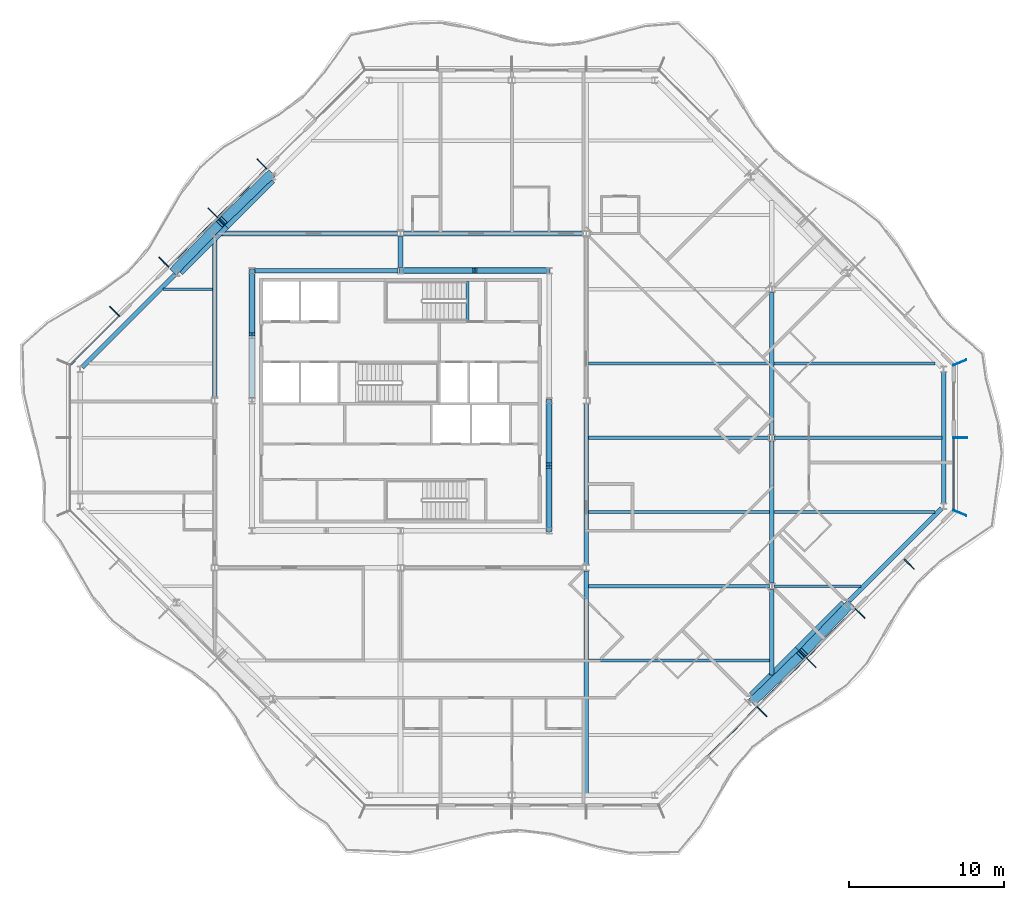
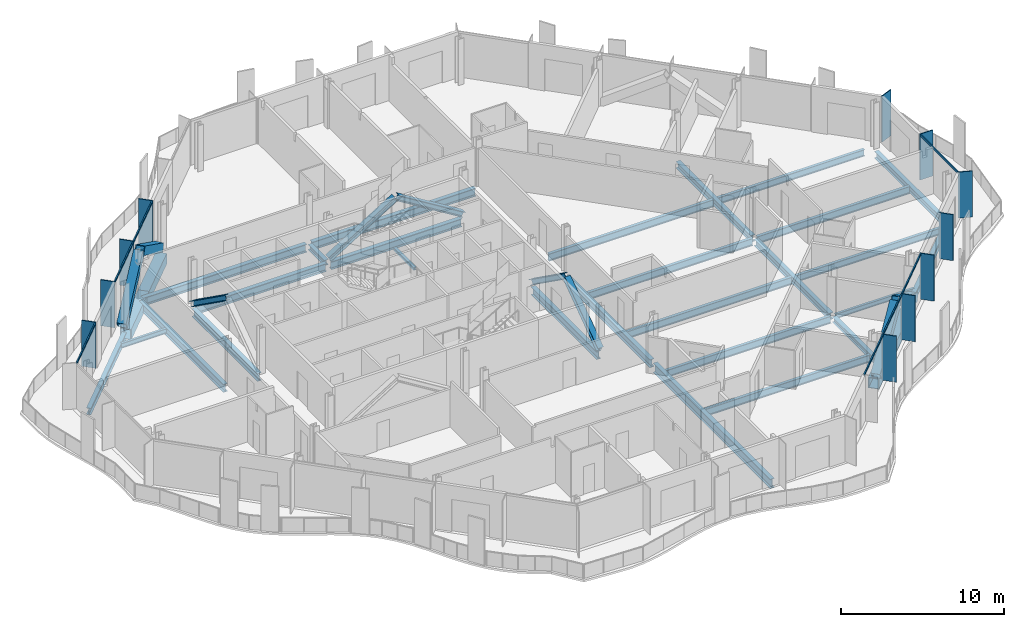
# One storey, part 4 of 17: 31 beams, 27 members, 4 elements without a shape of their own.
"""IFC4 building model written with IfcOpenShell, lengths in metres."""

from ifc_helpers import new_model, si_unit, direction, frame, origin, origin_2d, place, context, subcontext, project, spatial, rectangle, hollow_rectangle, i_section, extrude, material, material_profile, profile_set, type_object, element, aggregate, save


model = new_model("IFC4")

# Units and contexts
model_context = context("Model", 3, precision=1e-05, world=origin(), true_north=direction((0.0, 1.0)))
body_context = subcontext(model_context, "Body", "Model", "MODEL_VIEW")
ifc_project = project(units=[si_unit("LENGTHUNIT", "METRE"), si_unit("AREAUNIT", "SQUARE_METRE"), si_unit("VOLUMEUNIT", "CUBIC_METRE"), si_unit("PLANEANGLEUNIT", "RADIAN"), si_unit("MASSUNIT", "GRAM", prefix="KILO")], contexts=[model_context])

# Site, building, storey
site_placement = place(None, origin())
site = spatial("IfcSite", under=ifc_project, at=site_placement, CompositionType="ELEMENT")
building_placement = place(site_placement, origin())
building = spatial("IfcBuilding", under=site, at=building_placement, Name="Cairn Pilgrim Tower", CompositionType="ELEMENT")
storey_placement = place(building_placement, frame((0.0, 0.0, 253.800048828125)))
storey = spatial("IfcBuildingStorey", under=building, at=storey_placement, Name="L65", CompositionType="ELEMENT", Elevation=253.800048828125)

# Members
ifc_material_1 = material(Name="Structural steel S460M", Category="steel")
ifc_material_profile_1 = material_profile(ifc_material_1, hollow_rectangle(XDim=0.60009765625, YDim=0.60009765625, WallThickness=0.034912109375, at=origin_2d()), Name="BOX 600x600x35")
ifc_profile_set_1 = profile_set([ifc_material_profile_1], Name="Structural steel S460M")
member_type_1 = type_object("IfcMemberType", Name="BOX 600x600x35 BRACE", PredefinedType="BRACE", material=ifc_profile_set_1)
for number, where, z_axis, x_axis, name in (
    (1, (30.01318359375, -16.99462890625, 0.14990234375), (0.611806144004, 0.593141693494, 0.523331800675), (-0.696070308653, 0.717973624454, 0.0), "XB-SE2-SE3-1"),
    (2, (36.194580078125, -10.813232421875, 0.14990234375), (-0.593141693494, -0.611806144004, 0.523331800675), (0.717973624454, -0.696070308653, 0.0), "XB-SE2-SE3-2"),
    (3, (-1.213134765625, 16.99462890625, 0.14990234375), (-0.611806144004, -0.593141693494, 0.523331800675), (0.696070308653, -0.717973624454, 0.0), "XB-NW2-NW3-1"),
    (4, (-7.394775390625, 10.813232421875, 0.14990234375), (0.593141693494, 0.611806144004, 0.523331800675), (-0.717973624454, 0.696070308653, 0.0), "XB-NW2-NW3-2"),
):
    element("IfcMember", number, at=place(storey_placement, frame(where, z_axis=z_axis, x_axis=x_axis)), inside=storey, type_object=member_type_1, Name=name, PredefinedType="BRACE", context=body_context, shape_type="SweptSolid", body=[
        extrude(hollow_rectangle(XDim=0.60009765625, YDim=0.60009765625, WallThickness=0.034912109375, at=origin_2d()), origin(), (0.0, 0.0, 1.0), 5.035888671875),
    ])

# Beams
ifc_material_2 = material(Name="Structural steel S355J2", Category="steel")
ifc_material_profile_2 = material_profile(ifc_material_2, hollow_rectangle(XDim=0.699951171875, YDim=0.800048828125, WallThickness=0.0400390625, at=origin_2d()), Name="BOX 700x800x40")
ifc_profile_set_2 = profile_set([ifc_material_profile_2], Name="Structural steel S355J2")
beam_type_1 = type_object("IfcBeamType", Name="BOX 700x800x40 RING GIRDER", PredefinedType="SPANDREL", material=ifc_profile_set_2)
for number, where, z_axis, x_axis, name in (
    (5, (29.97998046875, -16.747314453125, -0.550048828125), (0.707106781187, 0.707106781187, 0.0), (-0.707106781187, 0.707106781187, 0.0), "RG3-SE2-SE3-1"),
    (6, (32.963623046875, -13.763671875, -0.550048828125), (0.707106781187, 0.707106781187, 0.0), (-0.707106781187, 0.707106781187, 0.0), "RG3-SE2-SE3-2"),
    (7, (-1.179931640625, 16.747314453125, -0.550048828125), (-0.707106781187, -0.707106781187, 0.0), (0.707106781187, -0.707106781187, 0.0), "RG3-NW2-NW3-1"),
    (8, (-4.16357421875, 13.763671875, -0.550048828125), (-0.707106781187, -0.707106781187, 0.0), (0.707106781187, -0.707106781187, 0.0), "RG3-NW2-NW3-2"),
):
    element("IfcBeam", number, at=place(storey_placement, frame(where, z_axis=z_axis, x_axis=x_axis)), inside=storey, type_object=beam_type_1, Name=name, PredefinedType="SPANDREL", context=body_context, shape_type="SweptSolid", body=[
        extrude(hollow_rectangle(XDim=0.699951171875, YDim=0.800048828125, WallThickness=0.0400390625, at=origin_2d()), origin(), (0.0, 0.0, 1.0), 4.219482421875),
    ])

# Curtain wall, members
ifc_material_3 = material(Name="Aluminium alloy 6063-T6 bronze anodised with Bronze tinted laminated low-E glass 8+16+8.8", Category="aluminium")
curtain_wall_type_1 = type_object("IfcCurtainWallType", Name="CHAMFER CORNER CURTAIN WALL", PredefinedType="NOTDEFINED", material=ifc_material_3)
curtain_wall_1_placement = place(storey_placement, origin())
curtain_wall_1 = element("IfcCurtainWall", 9, at=curtain_wall_1_placement, inside=storey, type_object=curtain_wall_type_1, Name="Chamfer Corner Curtain Wall SE", PredefinedType="NOTDEFINED")
ifc_material_4 = material(Name="Aluminium alloy 6063-T6 bronze anodised", Category="aluminium")
ifc_material_profile_3 = material_profile(ifc_material_4, rectangle(XDim=0.89990234375, YDim=0.06005859375, at=origin_2d()), Name="FIN MULLION 60x900 BRONZE")
ifc_profile_set_3 = profile_set([ifc_material_profile_3], Name="Aluminium alloy 6063-T6 bronze anodised")
member_type_2 = type_object("IfcMemberType", Name="FIN MULLION 60x900 BRONZE", PredefinedType="MULLION", material=ifc_profile_set_3)
member_1_placement = place(storey_placement, frame((30.544677734375, -17.69580078125, 0.0), z_axis=(0.0, 0.0, 1.0), x_axis=(0.707106781187, -0.707106781187, 0.0)))
member_1 = element("IfcMember", 10, at=member_1_placement, type_object=member_type_2, Name="Fin mullion SE3", PredefinedType="MULLION", context=body_context, shape_type="SweptSolid", body=[
    extrude(rectangle(XDim=0.89990234375, YDim=0.06005859375, at=origin_2d()), origin(), (0.0, 0.0, 1.0), 3.449951171875),
])
member_2_placement = place(storey_placement, frame((33.72021484375, -14.520263671875, 0.0), z_axis=(0.0, 0.0, 1.0), x_axis=(0.707106781187, -0.707106781187, 0.0)))
member_2 = element("IfcMember", 11, at=member_2_placement, type_object=member_type_2, Name="Fin mullion SE4", PredefinedType="MULLION", context=body_context, shape_type="SweptSolid", body=[
    extrude(rectangle(XDim=0.89990234375, YDim=0.06005859375, at=origin_2d()), origin(), (0.0, 0.0, 1.0), 3.449951171875),
])
member_3_placement = place(storey_placement, frame((36.895751953125, -11.3447265625, 0.0), z_axis=(0.0, 0.0, 1.0), x_axis=(0.707106781187, -0.707106781187, 0.0)))
member_3 = element("IfcMember", 12, at=member_3_placement, type_object=member_type_2, Name="Fin mullion SE5", PredefinedType="MULLION", context=body_context, shape_type="SweptSolid", body=[
    extrude(rectangle(XDim=0.89990234375, YDim=0.06005859375, at=origin_2d()), origin(), (0.0, 0.0, 1.0), 3.449951171875),
])
member_4_placement = place(storey_placement, frame((40.0712890625, -8.1689453125, 0.0), z_axis=(0.0, 0.0, 1.0), x_axis=(0.707106781187, -0.707106781187, 0.0)))
member_4 = element("IfcMember", 13, at=member_4_placement, type_object=member_type_2, Name="Fin mullion SE6", PredefinedType="MULLION", context=body_context, shape_type="SweptSolid", body=[
    extrude(rectangle(XDim=0.89990234375, YDim=0.06005859375, at=origin_2d()), origin(), (0.0, 0.0, 1.0), 3.449951171875),
])

curtain_wall_type_2 = type_object("IfcCurtainWallType", Name="TOWER STICK CURTAIN WALL EW", PredefinedType="NOTDEFINED", material=ifc_material_3)
curtain_wall_2_placement = place(storey_placement, origin())
curtain_wall_2 = element("IfcCurtainWall", 14, at=curtain_wall_2_placement, inside=storey, type_object=curtain_wall_type_2, Name="Tower Stick Curtain Wall Ew E", PredefinedType="NOTDEFINED")
member_5_placement = place(storey_placement, frame((43.338134765625, -4.857177734375, 0.0), z_axis=(0.0, 0.0, 1.0), x_axis=(0.923879532511, -0.382683432365, 0.0)))
member_5 = element("IfcMember", 15, at=member_5_placement, type_object=member_type_2, Name="Fin mullion E1", PredefinedType="MULLION", context=body_context, shape_type="SweptSolid", body=[
    extrude(rectangle(XDim=0.89990234375, YDim=0.06005859375, at=origin_2d()), origin(), (0.0, 0.0, 1.0), 3.449951171875),
])
member_6_placement = place(storey_placement, frame((43.3701171875, 0.0, 0.0), z_axis=(0.0, 0.0, 1.0), x_axis=(1.0, 0.0, 0.0)))
member_6 = element("IfcMember", 16, at=member_6_placement, type_object=member_type_2, Name="Fin mullion E2", PredefinedType="MULLION", context=body_context, shape_type="SweptSolid", body=[
    extrude(rectangle(XDim=0.89990234375, YDim=0.06005859375, at=origin_2d()), origin(), (0.0, 0.0, 1.0), 3.449951171875),
])

# Curtain wall, member
curtain_wall_3_placement = place(storey_placement, origin())
curtain_wall_3 = element("IfcCurtainWall", 17, at=curtain_wall_3_placement, inside=storey, type_object=curtain_wall_type_1, Name="Chamfer Corner Curtain Wall NE", PredefinedType="NOTDEFINED")
member_7_placement = place(storey_placement, frame((43.338134765625, 4.857177734375, 0.0), z_axis=(0.0, 0.0, 1.0), x_axis=(0.923879532511, 0.382683432365, 0.0)))
member_7 = element("IfcMember", 18, at=member_7_placement, type_object=member_type_2, Name="Fin mullion NE1", PredefinedType="MULLION", context=body_context, shape_type="SweptSolid", body=[
    extrude(rectangle(XDim=0.89990234375, YDim=0.06005859375, at=origin_2d()), origin(), (0.0, 0.0, 1.0), 3.449951171875),
])
aggregate(curtain_wall_3, [member_7])

# Curtain wall, members
curtain_wall_4_placement = place(storey_placement, origin())
curtain_wall_4 = element("IfcCurtainWall", 19, at=curtain_wall_4_placement, inside=storey, type_object=curtain_wall_type_1, Name="Chamfer Corner Curtain Wall NW", PredefinedType="NOTDEFINED")
member_8_placement = place(storey_placement, frame((-1.74462890625, 17.69580078125, 0.0), z_axis=(0.0, 0.0, 1.0), x_axis=(-0.707106781187, 0.707106781187, 0.0)))
member_8 = element("IfcMember", 20, at=member_8_placement, type_object=member_type_2, Name="Fin mullion NW3", PredefinedType="MULLION", context=body_context, shape_type="SweptSolid", body=[
    extrude(rectangle(XDim=0.89990234375, YDim=0.06005859375, at=origin_2d()), origin(), (0.0, 0.0, 1.0), 3.449951171875),
])
member_9_placement = place(storey_placement, frame((-4.920166015625, 14.520263671875, 0.0), z_axis=(0.0, 0.0, 1.0), x_axis=(-0.707106781187, 0.707106781187, 0.0)))
member_9 = element("IfcMember", 21, at=member_9_placement, type_object=member_type_2, Name="Fin mullion NW4", PredefinedType="MULLION", context=body_context, shape_type="SweptSolid", body=[
    extrude(rectangle(XDim=0.89990234375, YDim=0.06005859375, at=origin_2d()), origin(), (0.0, 0.0, 1.0), 3.449951171875),
])
member_10_placement = place(storey_placement, frame((-8.095703125, 11.3447265625, 0.0), z_axis=(0.0, 0.0, 1.0), x_axis=(-0.707106781187, 0.707106781187, 0.0)))
member_10 = element("IfcMember", 22, at=member_10_placement, type_object=member_type_2, Name="Fin mullion NW5", PredefinedType="MULLION", context=body_context, shape_type="SweptSolid", body=[
    extrude(rectangle(XDim=0.89990234375, YDim=0.06005859375, at=origin_2d()), origin(), (0.0, 0.0, 1.0), 3.449951171875),
])
member_11_placement = place(storey_placement, frame((-11.271484375, 8.1689453125, 0.0), z_axis=(0.0, 0.0, 1.0), x_axis=(-0.707106781187, 0.707106781187, 0.0)))
member_11 = element("IfcMember", 23, at=member_11_placement, type_object=member_type_2, Name="Fin mullion NW6", PredefinedType="MULLION", context=body_context, shape_type="SweptSolid", body=[
    extrude(rectangle(XDim=0.89990234375, YDim=0.06005859375, at=origin_2d()), origin(), (0.0, 0.0, 1.0), 3.449951171875),
])

# Members
ifc_material_profile_4 = material_profile(ifc_material_2, i_section(OverallWidth=0.39794921875, OverallDepth=0.386962890625, WebThickness=0.02099609375, FlangeThickness=0.033203125, FilletRadius=0.014892578125, at=origin_2d()), Name="HD 400x262")
ifc_profile_set_4 = profile_set([ifc_material_profile_4], Name="Structural steel S355J2")
member_type_3 = type_object("IfcMemberType", Name="HD 400x262 BRACE", PredefinedType="BRACE", material=ifc_profile_set_4)
for number, where, z_axis, x_axis, name in (
    (24, (16.800048828125, -5.960205078125, 0.099853515625), (0.0, 0.814462005215, 0.580216892258), (-1.0, 0.0, 0.0), "KB-2A"),
    (25, (16.800048828125, 2.360107421875, 0.099853515625), (0.0, -0.814462005215, 0.580216892258), (1.0, 0.0, 0.0), "KB-2B"),
):
    element("IfcMember", number, at=place(storey_placement, frame(where, z_axis=z_axis, x_axis=x_axis)), inside=storey, type_object=member_type_3, Name=name, PredefinedType="BRACE", context=body_context, shape_type="SweptSolid", body=[
        extrude(i_section(OverallWidth=0.39794921875, OverallDepth=0.386962890625, WebThickness=0.02099609375, FlangeThickness=0.033203125, FilletRadius=0.014892578125, at=origin_2d()), origin(), (0.0, 0.0, 1.0), 4.999755859375),
    ])
for number, where, z_axis, x_axis, name in (
    (26, (16.76025390625, 10.800048828125, 0.099853515625), (-0.851209328867, 0.0, 0.524826331703), (0.0, -1.0, 0.0), "KB-3A"),
    (27, (7.23974609375, 10.800048828125, 0.099853515625), (0.851209328867, 0.0, 0.524826331703), (0.0, 1.0, 0.0), "KB-3B"),
):
    element("IfcMember", number, at=place(storey_placement, frame(where, z_axis=z_axis, x_axis=x_axis)), inside=storey, type_object=member_type_3, Name=name, PredefinedType="BRACE", context=body_context, shape_type="SweptSolid", body=[
        extrude(i_section(OverallWidth=0.39794921875, OverallDepth=0.386962890625, WebThickness=0.02099609375, FlangeThickness=0.033203125, FilletRadius=0.014892578125, at=origin_2d()), origin(), (0.0, 0.0, 1.0), 5.530029296875),
    ])
member_12_placement = place(storey_placement, frame((-2.39990234375, 10.76025390625, 0.099853515625), z_axis=(0.0, -0.814462005215, 0.580216892258), x_axis=(1.0, 0.0, 0.0)))
element("IfcMember", 28, at=member_12_placement, inside=storey, type_object=member_type_3, Name="KB-4A", PredefinedType="BRACE", context=body_context, shape_type="SweptSolid", body=[
    extrude(i_section(OverallWidth=0.39794921875, OverallDepth=0.386962890625, WebThickness=0.02099609375, FlangeThickness=0.033203125, FilletRadius=0.014892578125, at=origin_2d()), origin(), (0.0, 0.0, 1.0), 4.999755859375),
])

# Beams
ifc_material_profile_5 = material_profile(ifc_material_2, i_section(OverallWidth=0.300048828125, OverallDepth=0.39990234375, WebThickness=0.013427734375, FlangeThickness=0.02392578125, FilletRadius=0.027099609375, at=origin_2d()), Name="HEB 400")
ifc_profile_set_5 = profile_set([ifc_material_profile_5], Name="Structural steel S355J2")
beam_type_2 = type_object("IfcBeamType", Name="HEB 400 GIRDER", PredefinedType="BEAM", material=ifc_profile_set_5)
beam_1_placement = place(storey_placement, frame((7.199951171875, 10.9990234375, -0.35009765625), z_axis=(0.0, 1.0, 0.0), x_axis=(-1.0, 0.0, 0.0)))
element("IfcBeam", 29, at=beam_1_placement, inside=storey, type_object=beam_type_2, Name="PG3-E2", PredefinedType="BEAM", context=body_context, shape_type="SweptSolid", body=[
    extrude(i_section(OverallWidth=0.300048828125, OverallDepth=0.39990234375, WebThickness=0.013427734375, FlangeThickness=0.02392578125, FilletRadius=0.027099609375, at=origin_2d()), origin(), (0.0, 0.0, 1.0), 2.00390625),
])
beam_2_placement = place(storey_placement, frame((31.199951171875, -15.34521484375, -0.35009765625), z_axis=(0.0, 1.0, 0.0), x_axis=(-1.0, 0.0, 0.0)))
element("IfcBeam", 30, at=beam_2_placement, inside=storey, type_object=beam_type_2, Name="PG5-1", PredefinedType="BEAM", context=body_context, shape_type="SweptSolid", body=[
    extrude(i_section(OverallWidth=0.300048828125, OverallDepth=0.39990234375, WebThickness=0.013427734375, FlangeThickness=0.02392578125, FilletRadius=0.027099609375, at=origin_2d()), origin(), (0.0, 0.0, 1.0), 5.545654296875),
])
ifc_material_profile_6 = material_profile(ifc_material_2, i_section(OverallWidth=0.300048828125, OverallDepth=0.5, WebThickness=0.014404296875, FlangeThickness=0.028076171875, FilletRadius=0.027099609375, at=origin_2d()), Name="HEB 500")
ifc_profile_set_6 = profile_set([ifc_material_profile_6], Name="Structural steel S355J2")
beam_type_3 = type_object("IfcBeamType", Name="HEB 500 GIRDER", PredefinedType="BEAM", material=ifc_profile_set_6)
for number, where, z_axis, x_axis, name in (
    (31, (31.199951171875, -9.400390625, -0.400146484375), (0.0, 1.0, 0.0), (-1.0, 0.0, 0.0), "PG5-2"),
    (32, (31.199951171875, 0.199462890625, -0.400146484375), (0.0, 1.0, 0.0), (-1.0, 0.0, 0.0), "PG5-3"),
):
    element("IfcBeam", number, at=place(storey_placement, frame(where, z_axis=z_axis, x_axis=x_axis)), inside=storey, type_object=beam_type_3, Name=name, PredefinedType="BEAM", context=body_context, shape_type="SweptSolid", body=[
        extrude(i_section(OverallWidth=0.300048828125, OverallDepth=0.5, WebThickness=0.014404296875, FlangeThickness=0.028076171875, FilletRadius=0.027099609375, at=origin_2d()), origin(), (0.0, 0.0, 1.0), 9.200927734375),
    ])
ifc_material_profile_7 = material_profile(ifc_material_2, i_section(OverallWidth=0.300048828125, OverallDepth=0.5, WebThickness=0.014404296875, FlangeThickness=0.028076171875, FilletRadius=0.027099609375, at=origin_2d()), Name="HEB 500")
ifc_profile_set_7 = profile_set([ifc_material_profile_7], Name="Structural steel S355J2")
beam_type_4 = type_object("IfcBeamType", Name="HEB 500 RING GIRDER", PredefinedType="SPANDREL", material=ifc_profile_set_7)
beam_3_placement = place(storey_placement, frame((36.204345703125, -10.52294921875, -0.400146484375), z_axis=(0.707106781187, 0.707106781187, 0.0), x_axis=(-0.707106781187, 0.707106781187, 0.0)))
element("IfcBeam", 33, at=beam_3_placement, inside=storey, type_object=beam_type_4, Name="RG3-SE3-E1", PredefinedType="SPANDREL", context=body_context, shape_type="SweptSolid", body=[
    extrude(i_section(OverallWidth=0.300048828125, OverallDepth=0.5, WebThickness=0.014404296875, FlangeThickness=0.028076171875, FilletRadius=0.027099609375, at=origin_2d()), origin(), (0.0, 0.0, 1.0), 8.438720703125),
])
beam_4_placement = place(storey_placement, frame((42.300048828125, -4.245361328125, -0.400146484375), z_axis=(0.0, 1.0, 0.0), x_axis=(-1.0, 0.0, 0.0)))
element("IfcBeam", 34, at=beam_4_placement, inside=storey, type_object=beam_type_4, Name="RG3-E1-NE1", PredefinedType="SPANDREL", context=body_context, shape_type="SweptSolid", body=[
    extrude(i_section(OverallWidth=0.300048828125, OverallDepth=0.5, WebThickness=0.014404296875, FlangeThickness=0.028076171875, FilletRadius=0.027099609375, at=origin_2d()), origin(), (0.0, 0.0, 1.0), 8.49072265625),
])
beam_5_placement = place(storey_placement, frame((-7.404296875, 10.52294921875, -0.400146484375), z_axis=(-0.707106781187, -0.707106781187, 0.0), x_axis=(0.707106781187, -0.707106781187, 0.0)))
element("IfcBeam", 35, at=beam_5_placement, inside=storey, type_object=beam_type_4, Name="RG3-NW3-W1", PredefinedType="SPANDREL", context=body_context, shape_type="SweptSolid", body=[
    extrude(i_section(OverallWidth=0.300048828125, OverallDepth=0.5, WebThickness=0.014404296875, FlangeThickness=0.028076171875, FilletRadius=0.027099609375, at=origin_2d()), origin(), (0.0, 0.0, 1.0), 8.438720703125),
])
ifc_material_profile_8 = material_profile(ifc_material_2, i_section(OverallWidth=0.300048828125, OverallDepth=0.60009765625, WebThickness=0.015380859375, FlangeThickness=0.030029296875, FilletRadius=0.027099609375, at=origin_2d()), Name="HEB 600")
ifc_profile_set_8 = profile_set([ifc_material_profile_8], Name="Structural steel S355J2")
beam_type_5 = type_object("IfcBeamType", Name="HEB 600 CORE BEAM", PredefinedType="BEAM", material=ifc_profile_set_8)
beam_6_placement = place(storey_placement, frame((16.800048828125, -5.82080078125, -0.449951171875), z_axis=(0.0, 1.0, 0.0), x_axis=(-1.0, 0.0, 0.0)))
element("IfcBeam", 36, at=beam_6_placement, inside=storey, type_object=beam_type_5, Name="CB-3", PredefinedType="BEAM", context=body_context, shape_type="SweptSolid", body=[
    extrude(i_section(OverallWidth=0.300048828125, OverallDepth=0.60009765625, WebThickness=0.015380859375, FlangeThickness=0.030029296875, FilletRadius=0.027099609375, at=origin_2d()), origin(), (0.0, 0.0, 1.0), 8.041748046875),
])
beam_7_placement = place(storey_placement, frame((16.620849609375, 10.800048828125, -0.449951171875), z_axis=(-1.0, 0.0, 0.0), x_axis=(0.0, -1.0, 0.0)))
element("IfcBeam", 37, at=beam_7_placement, inside=storey, type_object=beam_type_5, Name="CB-5", PredefinedType="BEAM", context=body_context, shape_type="SweptSolid", body=[
    extrude(i_section(OverallWidth=0.300048828125, OverallDepth=0.60009765625, WebThickness=0.015380859375, FlangeThickness=0.030029296875, FilletRadius=0.027099609375, at=origin_2d()), origin(), (0.0, 0.0, 1.0), 9.24169921875),
])
beam_8_placement = place(storey_placement, frame((7.02099609375, 10.800048828125, -0.449951171875), z_axis=(-1.0, 0.0, 0.0), x_axis=(0.0, -1.0, 0.0)))
element("IfcBeam", 38, at=beam_8_placement, inside=storey, type_object=beam_type_5, Name="CB-6", PredefinedType="BEAM", context=body_context, shape_type="SweptSolid", body=[
    extrude(i_section(OverallWidth=0.300048828125, OverallDepth=0.60009765625, WebThickness=0.015380859375, FlangeThickness=0.030029296875, FilletRadius=0.027099609375, at=origin_2d()), origin(), (0.0, 0.0, 1.0), 9.241943359375),
])
beam_9_placement = place(storey_placement, frame((-2.39990234375, 10.620849609375, -0.449951171875), z_axis=(0.0, -1.0, 0.0), x_axis=(1.0, 0.0, 0.0)))
element("IfcBeam", 39, at=beam_9_placement, inside=storey, type_object=beam_type_5, Name="CB-7", PredefinedType="BEAM", context=body_context, shape_type="SweptSolid", body=[
    extrude(i_section(OverallWidth=0.300048828125, OverallDepth=0.60009765625, WebThickness=0.015380859375, FlangeThickness=0.030029296875, FilletRadius=0.027099609375, at=origin_2d()), origin(), (0.0, 0.0, 1.0), 8.041748046875),
])
ifc_material_profile_9 = material_profile(ifc_material_2, i_section(OverallWidth=0.300048828125, OverallDepth=0.60009765625, WebThickness=0.015380859375, FlangeThickness=0.030029296875, FilletRadius=0.027099609375, at=origin_2d()), Name="HEB 600")
ifc_profile_set_9 = profile_set([ifc_material_profile_9], Name="Structural steel S355J2")
beam_type_6 = type_object("IfcBeamType", Name="HEB 600 GIRDER", PredefinedType="BEAM", material=ifc_profile_set_9)
beam_10_placement = place(storey_placement, frame((-4.800048828125, 2.596923828125, -0.449951171875), z_axis=(0.0, 1.0, 0.0), x_axis=(-1.0, 0.0, 0.0)))
element("IfcBeam", 40, at=beam_10_placement, inside=storey, type_object=beam_type_6, Name="PG2-3", PredefinedType="BEAM", context=body_context, shape_type="SweptSolid", body=[
    extrude(i_section(OverallWidth=0.300048828125, OverallDepth=0.60009765625, WebThickness=0.015380859375, FlangeThickness=0.030029296875, FilletRadius=0.027099609375, at=origin_2d()), origin(), (0.0, 0.0, 1.0), 10.34814453125),
])
beam_11_placement = place(storey_placement, frame((19.199951171875, -8.202880859375, -0.449951171875), z_axis=(0.0, 1.0, 0.0), x_axis=(-1.0, 0.0, 0.0)))
element("IfcBeam", 41, at=beam_11_placement, inside=storey, type_object=beam_type_6, Name="PG4-2", PredefinedType="BEAM", context=body_context, shape_type="SweptSolid", body=[
    extrude(i_section(OverallWidth=0.300048828125, OverallDepth=0.60009765625, WebThickness=0.015380859375, FlangeThickness=0.030029296875, FilletRadius=0.027099609375, at=origin_2d()), origin(), (0.0, 0.0, 1.0), 10.40576171875),
])
ifc_material_profile_10 = material_profile(ifc_material_2, i_section(OverallWidth=0.300048828125, OverallDepth=0.60009765625, WebThickness=0.015380859375, FlangeThickness=0.030029296875, FilletRadius=0.027099609375, at=origin_2d()), Name="HEB 600")
ifc_profile_set_10 = profile_set([ifc_material_profile_10], Name="Structural steel S355J2")
beam_type_7 = type_object("IfcBeamType", Name="HEB 600 INNER GIRDER", PredefinedType="BEAM", material=ifc_profile_set_10)
for number, where, z_axis, x_axis, name in (
    (42, (-4.60302734375, 13.199951171875, -0.449951171875), (1.0, 0.0, 0.0), (0.0, 1.0, 0.0), "IG2-1"),
    (43, (7.39697265625, 13.199951171875, -0.449951171875), (1.0, 0.0, 0.0), (0.0, 1.0, 0.0), "IG2-2"),
):
    element("IfcBeam", number, at=place(storey_placement, frame(where, z_axis=z_axis, x_axis=x_axis)), inside=storey, type_object=beam_type_7, Name=name, PredefinedType="BEAM", context=body_context, shape_type="SweptSolid", body=[
        extrude(i_section(OverallWidth=0.300048828125, OverallDepth=0.60009765625, WebThickness=0.015380859375, FlangeThickness=0.030029296875, FilletRadius=0.027099609375, at=origin_2d()), origin(), (0.0, 0.0, 1.0), 11.60595703125),
    ])
ifc_material_profile_11 = material_profile(ifc_material_2, i_section(OverallWidth=0.300048828125, OverallDepth=0.699951171875, WebThickness=0.01708984375, FlangeThickness=0.031982421875, FilletRadius=0.027099609375, at=origin_2d()), Name="HEB 700")
ifc_profile_set_11 = profile_set([ifc_material_profile_11], Name="Structural steel S355J2")
beam_type_8 = type_object("IfcBeamType", Name="HEB 700 GIRDER", PredefinedType="BEAM", material=ifc_profile_set_11)
beam_12_placement = place(storey_placement, frame((19.199951171875, -22.97998046875, -0.5), z_axis=(0.0, 1.0, 0.0), x_axis=(-1.0, 0.0, 0.0)))
element("IfcBeam", 44, at=beam_12_placement, inside=storey, type_object=beam_type_8, Name="PG4-1", PredefinedType="BEAM", context=body_context, shape_type="SweptSolid", body=[
    extrude(i_section(OverallWidth=0.300048828125, OverallDepth=0.699951171875, WebThickness=0.01708984375, FlangeThickness=0.031982421875, FilletRadius=0.027099609375, at=origin_2d()), origin(), (0.0, 0.0, 1.0), 14.383056640625),
])
ifc_material_profile_12 = material_profile(ifc_material_2, i_section(OverallWidth=0.169921875, OverallDepth=0.360107421875, WebThickness=0.008056640625, FlangeThickness=0.0126953125, FilletRadius=0.01806640625, at=origin_2d()), Name="IPE 360")
ifc_profile_set_12 = profile_set([ifc_material_profile_12], Name="Structural steel S355J2")
beam_type_9 = type_object("IfcBeamType", Name="IPE 360 SECONDARY BEAM", PredefinedType="JOIST", material=ifc_profile_set_12)
beam_13_placement = place(storey_placement, frame((31.35009765625, -9.60009765625, -0.330078125), z_axis=(1.0, 0.0, 0.0), x_axis=(0.0, 1.0, 0.0)))
element("IfcBeam", 45, at=beam_13_placement, inside=storey, type_object=beam_type_9, Name="SB3-3", PredefinedType="JOIST", context=body_context, shape_type="SweptSolid", body=[
    extrude(i_section(OverallWidth=0.169921875, OverallDepth=0.360107421875, WebThickness=0.008056640625, FlangeThickness=0.0126953125, FilletRadius=0.01806640625, at=origin_2d()), origin(), (0.0, 0.0, 1.0), 5.594970703125),
])
beam_14_placement = place(storey_placement, frame((-8.14501953125, 9.60009765625, -0.330078125), z_axis=(1.0, 0.0, 0.0), x_axis=(0.0, 1.0, 0.0)))
element("IfcBeam", 46, at=beam_14_placement, inside=storey, type_object=beam_type_9, Name="SB7-1", PredefinedType="JOIST", context=body_context, shape_type="SweptSolid", body=[
    extrude(i_section(OverallWidth=0.169921875, OverallDepth=0.360107421875, WebThickness=0.008056640625, FlangeThickness=0.0126953125, FilletRadius=0.01806640625, at=origin_2d()), origin(), (0.0, 0.0, 1.0), 3.195068359375),
])
ifc_material_profile_13 = material_profile(ifc_material_2, i_section(OverallWidth=0.199951171875, OverallDepth=0.5, WebThickness=0.01025390625, FlangeThickness=0.01611328125, FilletRadius=0.02099609375, at=origin_2d()), Name="IPE 500")
ifc_profile_set_13 = profile_set([ifc_material_profile_13], Name="Structural steel S355J2")
beam_type_10 = type_object("IfcBeamType", Name="IPE 500 SECONDARY BEAM", PredefinedType="JOIST", material=ifc_profile_set_13)
for number, where, z_axis, x_axis, name in (
    (47, (31.35009765625, -4.800048828125, -0.400146484375), (1.0, 0.0, 0.0), (0.0, 1.0, 0.0), "SB4-3"),
    (48, (31.35009765625, 4.800048828125, -0.400146484375), (1.0, 0.0, 0.0), (0.0, 1.0, 0.0), "SB6-3"),
):
    element("IfcBeam", number, at=place(storey_placement, frame(where, z_axis=z_axis, x_axis=x_axis)), inside=storey, type_object=beam_type_10, Name=name, PredefinedType="JOIST", context=body_context, shape_type="SweptSolid", body=[
        extrude(i_section(OverallWidth=0.199951171875, OverallDepth=0.5, WebThickness=0.01025390625, FlangeThickness=0.01611328125, FilletRadius=0.02099609375, at=origin_2d()), origin(), (0.0, 0.0, 1.0), 10.39501953125),
    ])
ifc_material_profile_14 = material_profile(ifc_material_2, i_section(OverallWidth=0.2099609375, OverallDepth=0.550048828125, WebThickness=0.010986328125, FlangeThickness=0.01708984375, FilletRadius=0.02392578125, at=origin_2d()), Name="IPE 550")
ifc_profile_set_14 = profile_set([ifc_material_profile_14], Name="Structural steel S355J2")
beam_type_11 = type_object("IfcBeamType", Name="IPE 550 SECONDARY BEAM", PredefinedType="JOIST", material=ifc_profile_set_14)
for number, where, z_axis, x_axis, name in (
    (49, (19.35009765625, -14.39990234375, -0.425048828125), (1.0, 0.0, 0.0), (0.0, 1.0, 0.0), "SB2-3"),
    (50, (19.35009765625, -9.60009765625, -0.425048828125), (1.0, 0.0, 0.0), (0.0, 1.0, 0.0), "SB3-2"),
    (51, (19.35009765625, -4.800048828125, -0.425048828125), (1.0, 0.0, 0.0), (0.0, 1.0, 0.0), "SB4-2"),
    (52, (19.35009765625, 0.0, -0.425048828125), (1.0, 0.0, 0.0), (0.0, 1.0, 0.0), "SB5-2"),
):
    element("IfcBeam", number, at=place(storey_placement, frame(where, z_axis=z_axis, x_axis=x_axis)), inside=storey, type_object=beam_type_11, Name=name, PredefinedType="JOIST", context=body_context, shape_type="SweptSolid", body=[
        extrude(i_section(OverallWidth=0.2099609375, OverallDepth=0.550048828125, WebThickness=0.010986328125, FlangeThickness=0.01708984375, FilletRadius=0.02392578125, at=origin_2d()), origin(), (0.0, 0.0, 1.0), 11.699951171875),
    ])
beam_15_placement = place(storey_placement, frame((31.35009765625, 0.0, -0.425048828125), z_axis=(1.0, 0.0, 0.0), x_axis=(0.0, 1.0, 0.0)))
element("IfcBeam", 53, at=beam_15_placement, inside=storey, type_object=beam_type_11, Name="SB5-3", PredefinedType="JOIST", context=body_context, shape_type="SweptSolid", body=[
    extrude(i_section(OverallWidth=0.2099609375, OverallDepth=0.550048828125, WebThickness=0.010986328125, FlangeThickness=0.01708984375, FilletRadius=0.02392578125, at=origin_2d()), origin(), (0.0, 0.0, 1.0), 10.829833984375),
])
beam_16_placement = place(storey_placement, frame((19.35009765625, 4.800048828125, -0.425048828125), z_axis=(1.0, 0.0, 0.0), x_axis=(0.0, 1.0, 0.0)))
element("IfcBeam", 54, at=beam_16_placement, inside=storey, type_object=beam_type_11, Name="SB6-2", PredefinedType="JOIST", context=body_context, shape_type="SweptSolid", body=[
    extrude(i_section(OverallWidth=0.2099609375, OverallDepth=0.550048828125, WebThickness=0.010986328125, FlangeThickness=0.01708984375, FilletRadius=0.02392578125, at=origin_2d()), origin(), (0.0, 0.0, 1.0), 11.699951171875),
])
ifc_material_profile_15 = material_profile(ifc_material_2, i_section(OverallWidth=0.199951171875, OverallDepth=0.199951171875, WebThickness=0.009033203125, FlangeThickness=0.014892578125, FilletRadius=0.01806640625, at=origin_2d()), Name="HE 200 B")
ifc_profile_set_15 = profile_set([ifc_material_profile_15], Name="Structural steel S355J2")
beam_type_12 = type_object("IfcBeamType", Name="STAIR LANDING BEAM HE 200 B", PredefinedType="BEAM", material=ifc_profile_set_15)
beam_17_placement = place(storey_placement, frame((11.5244140625, 10.10009765625, -0.25), z_axis=(0.0, -1.0, 0.0), x_axis=(1.0, 0.0, 0.0)))
element("IfcBeam", 55, at=beam_17_placement, inside=storey, type_object=beam_type_12, Name="STAIR LANDING BEAM LD-HE200B", PredefinedType="BEAM", context=body_context, shape_type="SweptSolid", body=[
    extrude(i_section(OverallWidth=0.199951171875, OverallDepth=0.199951171875, WebThickness=0.009033203125, FlangeThickness=0.014892578125, FilletRadius=0.01806640625, at=origin_2d()), origin(), (0.0, 0.0, 1.0), 2.525146484375),
])

# Member
ifc_material_profile_16 = material_profile(ifc_material_4, rectangle(XDim=0.080078125, YDim=0.14990234375, at=origin_2d()), Name="TRANSOM 80x150 BRONZE")
ifc_profile_set_16 = profile_set([ifc_material_profile_16], Name="Aluminium alloy 6063-T6 bronze anodised")
member_type_4 = type_object("IfcMemberType", Name="TRANSOM 80x150 BRONZE", PredefinedType="USERDEFINED", material=ifc_profile_set_16)
member_13_placement = place(storey_placement, frame((27.09326171875, -20.55322265625, 3.375), z_axis=(0.707079231393, 0.707134329907, 0.0), x_axis=(-0.707134329907, 0.707079231393, 0.0)))
member_13 = element("IfcMember", 56, at=member_13_placement, type_object=member_type_4, Name="Transom SE2", ObjectType="TRANSOM", PredefinedType="USERDEFINED", context=body_context, shape_type="SweptSolid", body=[
    extrude(rectangle(XDim=0.080078125, YDim=0.14990234375, at=origin_2d()), origin(), (0.0, 0.0, 1.0), 4.430908203125),
])

member_14_placement = place(storey_placement, frame((30.268798828125, -17.377685546875, 3.375), z_axis=(0.707106781187, 0.707106781187, 0.0), x_axis=(-0.707106781187, 0.707106781187, 0.0)))
member_14 = element("IfcMember", 57, at=member_14_placement, type_object=member_type_4, Name="Transom SE3", ObjectType="TRANSOM", PredefinedType="USERDEFINED", context=body_context, shape_type="SweptSolid", body=[
    extrude(rectangle(XDim=0.080078125, YDim=0.14990234375, at=origin_2d()), origin(), (0.0, 0.0, 1.0), 4.43115234375),
])

member_15_placement = place(storey_placement, frame((33.4443359375, -14.201904296875, 3.375), z_axis=(0.707134329907, 0.707079231393, 0.0), x_axis=(-0.707079231393, 0.707134329907, 0.0)))
member_15 = element("IfcMember", 58, at=member_15_placement, type_object=member_type_4, Name="Transom SE4", ObjectType="TRANSOM", PredefinedType="USERDEFINED", context=body_context, shape_type="SweptSolid", body=[
    extrude(rectangle(XDim=0.080078125, YDim=0.14990234375, at=origin_2d()), origin(), (0.0, 0.0, 1.0), 4.430908203125),
])

aggregate(curtain_wall_1, [member_1, member_2, member_3, member_4, member_13, member_14, member_15])

member_16_placement = place(storey_placement, frame((42.949951171875, -4.656494140625, 3.375), z_axis=(0.0, 1.0, 0.0), x_axis=(-1.0, 0.0, 0.0)))
member_16 = element("IfcMember", 59, at=member_16_placement, type_object=member_type_4, Name="Transom E1", ObjectType="TRANSOM", PredefinedType="USERDEFINED", context=body_context, shape_type="SweptSolid", body=[
    extrude(rectangle(XDim=0.080078125, YDim=0.14990234375, at=origin_2d()), origin(), (0.0, 0.0, 1.0), 4.62646484375),
])

aggregate(curtain_wall_2, [member_5, member_6, member_16])

member_17_placement = place(storey_placement, frame((-1.46875, 17.377685546875, 3.375), z_axis=(-0.707106781187, -0.707106781187, 0.0), x_axis=(0.707106781187, -0.707106781187, 0.0)))
member_17 = element("IfcMember", 60, at=member_17_placement, type_object=member_type_4, Name="Transom NW3", ObjectType="TRANSOM", PredefinedType="USERDEFINED", context=body_context, shape_type="SweptSolid", body=[
    extrude(rectangle(XDim=0.080078125, YDim=0.14990234375, at=origin_2d()), origin(), (0.0, 0.0, 1.0), 4.43115234375),
])

member_18_placement = place(storey_placement, frame((-4.64453125, 14.201904296875, 3.375), z_axis=(-0.707106781187, -0.707106781187, 0.0), x_axis=(0.707106781187, -0.707106781187, 0.0)))
member_18 = element("IfcMember", 61, at=member_18_placement, type_object=member_type_4, Name="Transom NW4", ObjectType="TRANSOM", PredefinedType="USERDEFINED", context=body_context, shape_type="SweptSolid", body=[
    extrude(rectangle(XDim=0.080078125, YDim=0.14990234375, at=origin_2d()), origin(), (0.0, 0.0, 1.0), 4.430908203125),
])

member_19_placement = place(storey_placement, frame((-10.99560546875, 7.850830078125, 3.375), z_axis=(-0.707106781187, -0.707106781187, 0.0), x_axis=(0.707106781187, -0.707106781187, 0.0)))
member_19 = element("IfcMember", 62, at=member_19_placement, type_object=member_type_4, Name="Transom NW6", ObjectType="TRANSOM", PredefinedType="USERDEFINED", context=body_context, shape_type="SweptSolid", body=[
    extrude(rectangle(XDim=0.080078125, YDim=0.14990234375, at=origin_2d()), origin(), (0.0, 0.0, 1.0), 4.421142578125),
])

aggregate(curtain_wall_4, [member_8, member_9, member_10, member_11, member_17, member_18, member_19])

save(model, "model.ifc")
